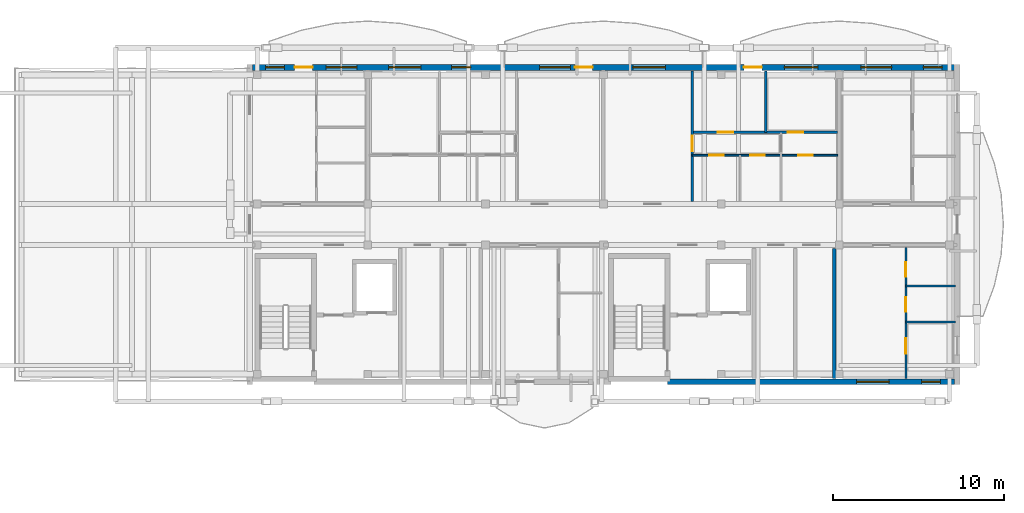
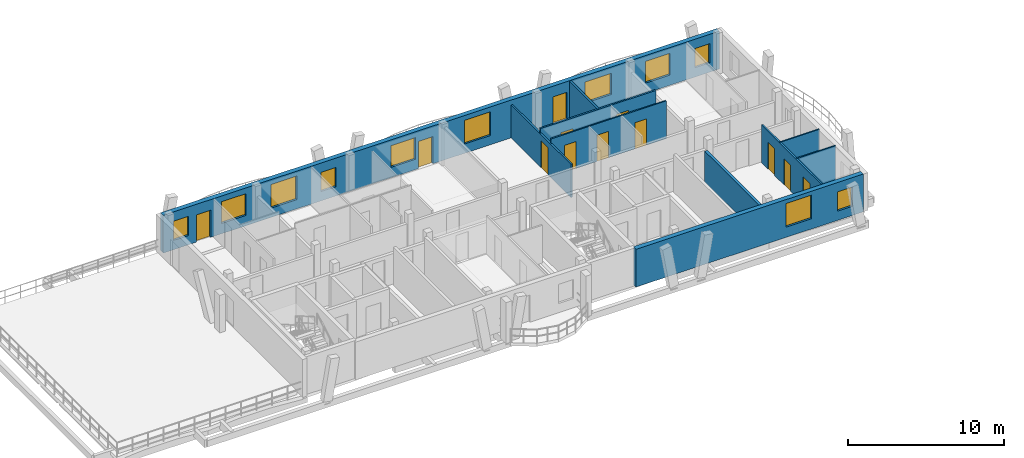
# One storey, part 32 of 44: 12 doors, 11 windows, 10 walls, 23 openings.
"""IFC4 building model written with IfcOpenShell, lengths in metres."""

from ifc_helpers import new_model, si_unit, direction, frame, frame_2d, origin, origin_with_axes, place, context, subcontext, project, spatial, rectangle, extrude, material, layer, layer_set, type_object, element, fill, save


model = new_model("IFC4")

# Units and contexts
model_context = context("Model", 3, precision=1e-05, world=origin(), true_north=direction((0.0, 1.0)))
body_context = subcontext(model_context, "Body", "Model", "MODEL_VIEW")
ifc_project = project(units=[si_unit("LENGTHUNIT", "METRE"), si_unit("AREAUNIT", "SQUARE_METRE"), si_unit("VOLUMEUNIT", "CUBIC_METRE"), si_unit("PLANEANGLEUNIT", "RADIAN"), si_unit("MASSUNIT", "GRAM", prefix="KILO")], contexts=[model_context])

# Site, building, storey
site_placement = place(None, origin())
site = spatial("IfcSite", under=ifc_project, at=site_placement, CompositionType="ELEMENT")
building_placement = place(site_placement, origin())
building = spatial("IfcBuilding", under=site, at=building_placement, Name="Zavelmont Quarter", CompositionType="ELEMENT")
storey_placement = place(building_placement, frame((0.0, 0.0, 20.800048828125)))
storey = spatial("IfcBuildingStorey", under=building, at=storey_placement, Name="L06", CompositionType="ELEMENT", Elevation=20.800048828125)

# Wall, openings, windows
ifc_material_1 = material(Name="Natural Belgian limestone", Category="masonry")
ifc_layer_1 = layer(ifc_material_1, 0.340087890625)
ifc_layer_set_1 = layer_set([ifc_layer_1], Name="Natural Belgian limestone")
wall_type_1 = type_object("IfcWallType", Name="EW03", PredefinedType="STANDARD", material=ifc_layer_set_1)
wall_1_placement = place(storey_placement, frame((151.050048828125, 97.60009765625, 0.0), z_axis=(0.0, 0.0, 1.0), x_axis=(1.0, 0.0, 0.0)))
wall_1 = element("IfcWall", 1, at=wall_1_placement, inside=storey, type_object=wall_type_1, Name="L06 exterior limestone wall EW03", PredefinedType="STANDARD", context=body_context, shape_type="SweptSolid", body=[
    extrude(rectangle(XDim=16.7900390625, YDim=0.340087890625, at=frame_2d((8.39501953125, 0.0))), origin(), (0.0, 0.0, 1.0), 2.949951171875),
])
opening_1_placement = place(wall_1_placement, frame((11.070068359375, 0.0, 0.800048828125)))
opening_1 = element("IfcOpeningElement", 2, at=opening_1_placement, cuts=wall_1, Name="Opening WN20", PredefinedType="OPENING", context=body_context, shape_type="SweptSolid", body=[
    extrude(rectangle(XDim=1.89990234375, YDim=1.85009765625, at=frame_2d((0.949951171875, 0.925048828125))), frame((0.0, 0.18212890625, 0.0), z_axis=(0.0, -1.0, 0.0), x_axis=(1.0, 0.0, 0.0)), (0.0, 0.0, 1.0), 0.364013671875),
])
opening_2_placement = place(wall_1_placement, frame((14.8701171875, 0.0, 0.719970703125)))
opening_2 = element("IfcOpeningElement", 3, at=opening_2_placement, cuts=wall_1, Name="Opening WN09", PredefinedType="OPENING", context=body_context, shape_type="SweptSolid", body=[
    extrude(rectangle(XDim=1.10009765625, YDim=1.5, at=frame_2d((0.550048828125, 0.75))), frame((0.0, 0.18212890625, 0.0), z_axis=(0.0, -1.0, 0.0), x_axis=(1.0, 0.0, 0.0)), (0.0, 0.0, 1.0), 0.364013671875),
])
ifc_material_2 = material(Name="Double low-E insulated glazing in thermally broken aluminium frame", Category="aluminium")
window_type_1 = type_object("IfcWindowType", Name="WN09", PartitioningType="SINGLE_PANEL", PredefinedType="WINDOW", material=ifc_material_2)
window_1_placement = place(opening_2_placement, origin_with_axes())
window_1 = element("IfcWindow", 4, at=window_1_placement, inside=storey, type_object=window_type_1, Name="L06 window WN09", OverallHeight=1.5, OverallWidth=1.10009765625, PartitioningType="SINGLE_PANEL", PredefinedType="WINDOW", context=body_context, shape_type="SweptSolid", body=[
    extrude(rectangle(XDim=1.10009765625, YDim=1.5, at=frame_2d((0.550048828125, 0.75))), frame((0.0, 0.030029296875, 0.0), z_axis=(0.0, -1.0, 0.0), x_axis=(1.0, 0.0, 0.0)), (0.0, 0.0, 1.0), 0.06005859375),
])
fill(opening_2, window_1)
window_type_2 = type_object("IfcWindowType", Name="WN20", PartitioningType="SINGLE_PANEL", PredefinedType="WINDOW", material=ifc_material_2)
window_2_placement = place(opening_1_placement, origin_with_axes())
window_2 = element("IfcWindow", 5, at=window_2_placement, inside=storey, type_object=window_type_2, Name="L06 window WN20", OverallHeight=1.85009765625, OverallWidth=1.89990234375, PartitioningType="SINGLE_PANEL", PredefinedType="WINDOW", context=body_context, shape_type="SweptSolid", body=[
    extrude(rectangle(XDim=1.89990234375, YDim=1.85009765625, at=frame_2d((0.949951171875, 0.925048828125))), frame((0.0, 0.030029296875, 0.0), z_axis=(0.0, -1.0, 0.0), x_axis=(1.0, 0.0, 0.0)), (0.0, 0.0, 1.0), 0.06005859375),
])
fill(opening_1, window_2)

# Wall, openings, doors, windows
wall_2_placement = place(storey_placement, frame((126.760009765625, 116.0, 0.0), z_axis=(0.0, 0.0, 1.0), x_axis=(1.0, 0.0, 0.0)))
wall_2 = element("IfcWall", 6, at=wall_2_placement, inside=storey, type_object=wall_type_1, Name="L06 exterior limestone wall EW03", PredefinedType="STANDARD", context=body_context, shape_type="SweptSolid", body=[
    extrude(rectangle(XDim=41.080078125, YDim=0.340087890625, at=frame_2d((20.5400390625, 0.0))), origin(), (0.0, 0.0, 1.0), 2.949951171875),
])
opening_3_placement = place(wall_2_placement, frame((2.4638671875, 0.0, 0.0)))
opening_3 = element("IfcOpeningElement", 7, at=opening_3_placement, cuts=wall_2, Name="Opening DR04A", PredefinedType="OPENING", context=body_context, shape_type="SweptSolid", body=[
    extrude(rectangle(XDim=1.050048828125, YDim=2.1201171875, at=frame_2d((0.52490234375, 1.06005859375))), frame((0.0, 0.18212890625, 0.0), z_axis=(0.0, -1.0, 0.0), x_axis=(1.0, 0.0, 0.0)), (0.0, 0.0, 1.0), 0.364013671875),
])
opening_4_placement = place(wall_2_placement, frame((18.860107421875, 0.0, 0.0)))
opening_4 = element("IfcOpeningElement", 8, at=opening_4_placement, cuts=wall_2, Name="Opening DR04A", PredefinedType="OPENING", context=body_context, shape_type="SweptSolid", body=[
    extrude(rectangle(XDim=1.050048828125, YDim=2.1201171875, at=frame_2d((0.52490234375, 1.06005859375))), frame((0.0, 0.18212890625, 0.0), z_axis=(0.0, -1.0, 0.0), x_axis=(1.0, 0.0, 0.0)), (0.0, 0.0, 1.0), 0.364013671875),
])
opening_5_placement = place(wall_2_placement, frame((28.763916015625, 0.0, 0.0)))
opening_5 = element("IfcOpeningElement", 9, at=opening_5_placement, cuts=wall_2, Name="Opening DR04A", PredefinedType="OPENING", context=body_context, shape_type="SweptSolid", body=[
    extrude(rectangle(XDim=1.050048828125, YDim=2.1201171875, at=frame_2d((0.52490234375, 1.06005859375))), frame((0.0, 0.18212890625, 0.0), z_axis=(0.0, -1.0, 0.0), x_axis=(1.0, 0.0, 0.0)), (0.0, 0.0, 1.0), 0.364013671875),
])
opening_6_placement = place(wall_2_placement, frame((0.760009765625, 0.0, 0.719970703125)))
opening_6 = element("IfcOpeningElement", 10, at=opening_6_placement, cuts=wall_2, Name="Opening WN09", PredefinedType="OPENING", context=body_context, shape_type="SweptSolid", body=[
    extrude(rectangle(XDim=1.10009765625, YDim=1.5, at=frame_2d((0.550048828125, 0.75))), frame((0.0, 0.18212890625, 0.0), z_axis=(0.0, -1.0, 0.0), x_axis=(1.0, 0.0, 0.0)), (0.0, 0.0, 1.0), 0.364013671875),
])
opening_7_placement = place(wall_2_placement, frame((4.31005859375, 0.0, 0.800048828125)))
opening_7 = element("IfcOpeningElement", 11, at=opening_7_placement, cuts=wall_2, Name="Opening WN02", PredefinedType="OPENING", context=body_context, shape_type="SweptSolid", body=[
    extrude(rectangle(XDim=1.800048828125, YDim=1.699951171875, at=frame_2d((0.89990234375, 0.85009765625))), frame((0.0, 0.18212890625, 0.0), z_axis=(0.0, -1.0, 0.0), x_axis=(1.0, 0.0, 0.0)), (0.0, 0.0, 1.0), 0.364013671875),
])
opening_8_placement = place(wall_2_placement, frame((7.9599609375, 0.0, 0.719970703125)))
opening_8 = element("IfcOpeningElement", 12, at=opening_8_placement, cuts=wall_2, Name="Opening WN20", PredefinedType="OPENING", context=body_context, shape_type="SweptSolid", body=[
    extrude(rectangle(XDim=1.89990234375, YDim=1.85009765625, at=frame_2d((0.949951171875, 0.925048828125))), frame((0.0, 0.18212890625, 0.0), z_axis=(0.0, -1.0, 0.0), x_axis=(1.0, 0.0, 0.0)), (0.0, 0.0, 1.0), 0.364013671875),
])
opening_9_placement = place(wall_2_placement, frame((11.659912109375, 0.0, 0.719970703125)))
opening_9 = element("IfcOpeningElement", 13, at=opening_9_placement, cuts=wall_2, Name="Opening WN09", PredefinedType="OPENING", context=body_context, shape_type="SweptSolid", body=[
    extrude(rectangle(XDim=1.10009765625, YDim=1.5, at=frame_2d((0.550048828125, 0.75))), frame((0.0, 0.18212890625, 0.0), z_axis=(0.0, -1.0, 0.0), x_axis=(1.0, 0.0, 0.0)), (0.0, 0.0, 1.0), 0.364013671875),
])
opening_10_placement = place(wall_2_placement, frame((16.81005859375, 0.0, 0.800048828125)))
opening_10 = element("IfcOpeningElement", 14, at=opening_10_placement, cuts=wall_2, Name="Opening WN02", PredefinedType="OPENING", context=body_context, shape_type="SweptSolid", body=[
    extrude(rectangle(XDim=1.800048828125, YDim=1.699951171875, at=frame_2d((0.89990234375, 0.85009765625))), frame((0.0, 0.18212890625, 0.0), z_axis=(0.0, -1.0, 0.0), x_axis=(1.0, 0.0, 0.0)), (0.0, 0.0, 1.0), 0.364013671875),
])
opening_11_placement = place(wall_2_placement, frame((22.260009765625, 0.0, 0.719970703125)))
opening_11 = element("IfcOpeningElement", 15, at=opening_11_placement, cuts=wall_2, Name="Opening WN20", PredefinedType="OPENING", context=body_context, shape_type="SweptSolid", body=[
    extrude(rectangle(XDim=1.89990234375, YDim=1.85009765625, at=frame_2d((0.949951171875, 0.925048828125))), frame((0.0, 0.18212890625, 0.0), z_axis=(0.0, -1.0, 0.0), x_axis=(1.0, 0.0, 0.0)), (0.0, 0.0, 1.0), 0.364013671875),
])
opening_12_placement = place(wall_2_placement, frame((31.135009765625, 0.0, 0.800048828125)))
opening_12 = element("IfcOpeningElement", 16, at=opening_12_placement, cuts=wall_2, Name="Opening WN24", PredefinedType="OPENING", context=body_context, shape_type="SweptSolid", body=[
    extrude(rectangle(XDim=1.949951171875, YDim=1.64990234375, at=frame_2d((0.97509765625, 0.824951171875))), frame((0.0, 0.18212890625, 0.0), z_axis=(0.0, -1.0, 0.0), x_axis=(1.0, 0.0, 0.0)), (0.0, 0.0, 1.0), 0.364013671875),
])
opening_13_placement = place(wall_2_placement, frame((35.610107421875, 0.0, 0.800048828125)))
opening_13 = element("IfcOpeningElement", 17, at=opening_13_placement, cuts=wall_2, Name="Opening WN02", PredefinedType="OPENING", context=body_context, shape_type="SweptSolid", body=[
    extrude(rectangle(XDim=1.800048828125, YDim=1.699951171875, at=frame_2d((0.89990234375, 0.85009765625))), frame((0.0, 0.18212890625, 0.0), z_axis=(0.0, -1.0, 0.0), x_axis=(1.0, 0.0, 0.0)), (0.0, 0.0, 1.0), 0.364013671875),
])
opening_14_placement = place(wall_2_placement, frame((39.260009765625, 0.0, 0.719970703125)))
opening_14 = element("IfcOpeningElement", 18, at=opening_14_placement, cuts=wall_2, Name="Opening WN09", PredefinedType="OPENING", context=body_context, shape_type="SweptSolid", body=[
    extrude(rectangle(XDim=1.10009765625, YDim=1.5, at=frame_2d((0.550048828125, 0.75))), frame((0.0, 0.18212890625, 0.0), z_axis=(0.0, -1.0, 0.0), x_axis=(1.0, 0.0, 0.0)), (0.0, 0.0, 1.0), 0.364013671875),
])
ifc_material_3 = material(Name="Thermally broken aluminium and double safety glass", Category="aluminium")
door_type_1 = type_object("IfcDoorType", Name="DR04A", OperationType="NOTDEFINED", PredefinedType="DOOR", material=ifc_material_3)
door_1_placement = place(opening_3_placement, frame((1.050048828125, 0.0, 0.0), z_axis=(0.0, 0.0, 1.0), x_axis=(-1.0, 0.0, 0.0)))
door_1 = element("IfcDoor", 19, at=door_1_placement, inside=storey, type_object=door_type_1, Name="Block C L06 glazed balcony door", OperationType="SINGLE_SWING_LEFT", OverallHeight=2.1201171875, OverallWidth=1.050048828125, PredefinedType="DOOR", context=body_context, shape_type="SweptSolid", body=[
    extrude(rectangle(XDim=1.050048828125, YDim=2.1201171875, at=frame_2d((0.52490234375, 1.06005859375))), frame((0.0, 0.02490234375, 0.0), z_axis=(0.0, -1.0, 0.0), x_axis=(1.0, 0.0, 0.0)), (0.0, 0.0, 1.0), 0.050048828125),
])
fill(opening_3, door_1)
door_2_placement = place(opening_4_placement, frame((1.050048828125, 0.0, 0.0), z_axis=(0.0, 0.0, 1.0), x_axis=(-1.0, 0.0, 0.0)))
door_2 = element("IfcDoor", 20, at=door_2_placement, inside=storey, type_object=door_type_1, Name="Block C L06 glazed balcony door", OperationType="SINGLE_SWING_LEFT", OverallHeight=2.1201171875, OverallWidth=1.050048828125, PredefinedType="DOOR", context=body_context, shape_type="SweptSolid", body=[
    extrude(rectangle(XDim=1.050048828125, YDim=2.1201171875, at=frame_2d((0.52490234375, 1.06005859375))), frame((0.0, 0.02490234375, 0.0), z_axis=(0.0, -1.0, 0.0), x_axis=(1.0, 0.0, 0.0)), (0.0, 0.0, 1.0), 0.050048828125),
])
fill(opening_4, door_2)
door_3_placement = place(opening_5_placement, frame((1.050048828125, 0.0, 0.0), z_axis=(0.0, 0.0, 1.0), x_axis=(-1.0, 0.0, 0.0)))
door_3 = element("IfcDoor", 21, at=door_3_placement, inside=storey, type_object=door_type_1, Name="Block C L06 glazed balcony door", OperationType="SINGLE_SWING_LEFT", OverallHeight=2.1201171875, OverallWidth=1.050048828125, PredefinedType="DOOR", context=body_context, shape_type="SweptSolid", body=[
    extrude(rectangle(XDim=1.050048828125, YDim=2.1201171875, at=frame_2d((0.52490234375, 1.06005859375))), frame((0.0, 0.02490234375, 0.0), z_axis=(0.0, -1.0, 0.0), x_axis=(1.0, 0.0, 0.0)), (0.0, 0.0, 1.0), 0.050048828125),
])
fill(opening_5, door_3)
window_type_3 = type_object("IfcWindowType", Name="WN02", PartitioningType="SINGLE_PANEL", PredefinedType="WINDOW", material=ifc_material_2)
window_3_placement = place(opening_7_placement, origin_with_axes())
window_3 = element("IfcWindow", 22, at=window_3_placement, inside=storey, type_object=window_type_3, Name="L06 window WN02", OverallHeight=1.699951171875, OverallWidth=1.800048828125, PartitioningType="SINGLE_PANEL", PredefinedType="WINDOW", context=body_context, shape_type="SweptSolid", body=[
    extrude(rectangle(XDim=1.800048828125, YDim=1.699951171875, at=frame_2d((0.89990234375, 0.85009765625))), frame((0.0, 0.030029296875, 0.0), z_axis=(0.0, -1.0, 0.0), x_axis=(1.0, 0.0, 0.0)), (0.0, 0.0, 1.0), 0.06005859375),
])
fill(opening_7, window_3)
window_4_placement = place(opening_10_placement, origin_with_axes())
window_4 = element("IfcWindow", 23, at=window_4_placement, inside=storey, type_object=window_type_3, Name="L06 window WN02", OverallHeight=1.699951171875, OverallWidth=1.800048828125, PartitioningType="SINGLE_PANEL", PredefinedType="WINDOW", context=body_context, shape_type="SweptSolid", body=[
    extrude(rectangle(XDim=1.800048828125, YDim=1.699951171875, at=frame_2d((0.89990234375, 0.85009765625))), frame((0.0, 0.030029296875, 0.0), z_axis=(0.0, -1.0, 0.0), x_axis=(1.0, 0.0, 0.0)), (0.0, 0.0, 1.0), 0.06005859375),
])
fill(opening_10, window_4)
window_5_placement = place(opening_13_placement, origin_with_axes())
window_5 = element("IfcWindow", 24, at=window_5_placement, inside=storey, type_object=window_type_3, Name="L06 window WN02", OverallHeight=1.699951171875, OverallWidth=1.800048828125, PartitioningType="SINGLE_PANEL", PredefinedType="WINDOW", context=body_context, shape_type="SweptSolid", body=[
    extrude(rectangle(XDim=1.800048828125, YDim=1.699951171875, at=frame_2d((0.89990234375, 0.85009765625))), frame((0.0, 0.030029296875, 0.0), z_axis=(0.0, -1.0, 0.0), x_axis=(1.0, 0.0, 0.0)), (0.0, 0.0, 1.0), 0.06005859375),
])
fill(opening_13, window_5)
window_6_placement = place(opening_6_placement, origin_with_axes())
window_6 = element("IfcWindow", 25, at=window_6_placement, inside=storey, type_object=window_type_1, Name="L06 window WN09", OverallHeight=1.5, OverallWidth=1.10009765625, PartitioningType="SINGLE_PANEL", PredefinedType="WINDOW", context=body_context, shape_type="SweptSolid", body=[
    extrude(rectangle(XDim=1.10009765625, YDim=1.5, at=frame_2d((0.550048828125, 0.75))), frame((0.0, 0.030029296875, 0.0), z_axis=(0.0, -1.0, 0.0), x_axis=(1.0, 0.0, 0.0)), (0.0, 0.0, 1.0), 0.06005859375),
])
fill(opening_6, window_6)
window_7_placement = place(opening_9_placement, origin_with_axes())
window_7 = element("IfcWindow", 26, at=window_7_placement, inside=storey, type_object=window_type_1, Name="L06 window WN09", OverallHeight=1.5, OverallWidth=1.10009765625, PartitioningType="SINGLE_PANEL", PredefinedType="WINDOW", context=body_context, shape_type="SweptSolid", body=[
    extrude(rectangle(XDim=1.10009765625, YDim=1.5, at=frame_2d((0.550048828125, 0.75))), frame((0.0, 0.030029296875, 0.0), z_axis=(0.0, -1.0, 0.0), x_axis=(1.0, 0.0, 0.0)), (0.0, 0.0, 1.0), 0.06005859375),
])
fill(opening_9, window_7)
window_8_placement = place(opening_14_placement, origin_with_axes())
window_8 = element("IfcWindow", 27, at=window_8_placement, inside=storey, type_object=window_type_1, Name="L06 window WN09", OverallHeight=1.5, OverallWidth=1.10009765625, PartitioningType="SINGLE_PANEL", PredefinedType="WINDOW", context=body_context, shape_type="SweptSolid", body=[
    extrude(rectangle(XDim=1.10009765625, YDim=1.5, at=frame_2d((0.550048828125, 0.75))), frame((0.0, 0.030029296875, 0.0), z_axis=(0.0, -1.0, 0.0), x_axis=(1.0, 0.0, 0.0)), (0.0, 0.0, 1.0), 0.06005859375),
])
fill(opening_14, window_8)
window_9_placement = place(opening_8_placement, origin_with_axes())
window_9 = element("IfcWindow", 28, at=window_9_placement, inside=storey, type_object=window_type_2, Name="L06 window WN20", OverallHeight=1.85009765625, OverallWidth=1.89990234375, PartitioningType="SINGLE_PANEL", PredefinedType="WINDOW", context=body_context, shape_type="SweptSolid", body=[
    extrude(rectangle(XDim=1.89990234375, YDim=1.85009765625, at=frame_2d((0.949951171875, 0.925048828125))), frame((0.0, 0.030029296875, 0.0), z_axis=(0.0, -1.0, 0.0), x_axis=(1.0, 0.0, 0.0)), (0.0, 0.0, 1.0), 0.06005859375),
])
fill(opening_8, window_9)
window_10_placement = place(opening_11_placement, origin_with_axes())
window_10 = element("IfcWindow", 29, at=window_10_placement, inside=storey, type_object=window_type_2, Name="L06 window WN20", OverallHeight=1.85009765625, OverallWidth=1.89990234375, PartitioningType="SINGLE_PANEL", PredefinedType="WINDOW", context=body_context, shape_type="SweptSolid", body=[
    extrude(rectangle(XDim=1.89990234375, YDim=1.85009765625, at=frame_2d((0.949951171875, 0.925048828125))), frame((0.0, 0.030029296875, 0.0), z_axis=(0.0, -1.0, 0.0), x_axis=(1.0, 0.0, 0.0)), (0.0, 0.0, 1.0), 0.06005859375),
])
fill(opening_11, window_10)
window_type_4 = type_object("IfcWindowType", Name="WN24", PartitioningType="SINGLE_PANEL", PredefinedType="WINDOW", material=ifc_material_2)
window_11_placement = place(opening_12_placement, origin_with_axes())
window_11 = element("IfcWindow", 30, at=window_11_placement, inside=storey, type_object=window_type_4, Name="L06 window WN24", OverallHeight=1.64990234375, OverallWidth=1.949951171875, PartitioningType="SINGLE_PANEL", PredefinedType="WINDOW", context=body_context, shape_type="SweptSolid", body=[
    extrude(rectangle(XDim=1.949951171875, YDim=1.64990234375, at=frame_2d((0.97509765625, 0.824951171875))), frame((0.0, 0.030029296875, 0.0), z_axis=(0.0, -1.0, 0.0), x_axis=(1.0, 0.0, 0.0)), (0.0, 0.0, 1.0), 0.06005859375),
])
fill(opening_12, window_11)

# Wall
ifc_material_4 = material(Name="Calcium-silicate blockwork and acoustic plaster", Category="masonry")
ifc_layer_2 = layer(ifc_material_4, 0.199951171875)
ifc_layer_set_2 = layer_set([ifc_layer_2], Name="Calcium-silicate blockwork and acoustic plaster")
wall_type_2 = type_object("IfcWallType", Name="IW01", PredefinedType="PARTITIONING", material=ifc_layer_set_2)
wall_3_placement = place(storey_placement, frame((160.820068359375, 97.800048828125, 0.0), z_axis=(0.0, 0.0, 1.0), x_axis=(0.0, 1.0, 0.0)))
element("IfcWall", 31, at=wall_3_placement, inside=storey, type_object=wall_type_2, Name="L06 Core service end wall IW01", PredefinedType="PARTITIONING", context=body_context, shape_type="SweptSolid", body=[
    extrude(rectangle(XDim=7.599853515625, YDim=0.199951171875, at=frame_2d((3.7998046875, 0.0))), origin(), (0.0, 0.0, 1.0), 2.389892578125),
])

# Wall, opening, door
ifc_material_5 = material(Name="Double gypsum board on acoustic steel stud", Category="steel")
ifc_layer_3 = layer(ifc_material_5, 0.125)
ifc_layer_set_3 = layer_set([ifc_layer_3], Name="Double gypsum board on acoustic steel stud")
wall_type_3 = type_object("IfcWallType", Name="IW03", PredefinedType="PARTITIONING", material=ifc_layer_set_3)
wall_4_placement = place(storey_placement, frame((152.5, 108.14990234375, 0.0), z_axis=(0.0, 0.0, 1.0), x_axis=(0.0, 1.0, 0.0)))
wall_4 = element("IfcWall", 32, at=wall_4_placement, inside=storey, type_object=wall_type_3, Name="L06 Partition IW03", PredefinedType="PARTITIONING", context=body_context, shape_type="SweptSolid", body=[
    extrude(rectangle(XDim=7.650146484375, YDim=0.125, at=frame_2d((3.8251953125, 0.0))), origin(), (0.0, 0.0, 1.0), 2.58984375),
])
opening_15_placement = place(wall_4_placement, frame((2.949951171875, 0.0, 0.0)))
opening_15 = element("IfcOpeningElement", 33, at=opening_15_placement, cuts=wall_4, Name="Opening DR05", PredefinedType="OPENING", context=body_context, shape_type="SweptSolid", body=[
    extrude(rectangle(XDim=0.89990234375, YDim=2.10009765625, at=frame_2d((0.449951171875, 1.050048828125))), frame((0.0, 0.074462890625, 0.0), z_axis=(0.0, -1.0, 0.0), x_axis=(1.0, 0.0, 0.0)), (0.0, 0.0, 1.0), 0.14892578125),
])
ifc_material_6 = material(Name="Engineered oak flush interior door")
door_type_2 = type_object("IfcDoorType", Name="DR05", OperationType="NOTDEFINED", PredefinedType="DOOR", material=ifc_material_6)
door_4_placement = place(opening_15_placement, frame((0.89990234375, 0.0, 0.0), z_axis=(0.0, 0.0, 1.0), x_axis=(-1.0, 0.0, 0.0)))
door_4 = element("IfcDoor", 34, at=door_4_placement, inside=storey, type_object=door_type_2, Name="L06 door DR05", OperationType="SINGLE_SWING_RIGHT", OverallHeight=2.10009765625, OverallWidth=0.89990234375, PredefinedType="DOOR", context=body_context, shape_type="SweptSolid", body=[
    extrude(rectangle(XDim=0.89990234375, YDim=2.10009765625, at=frame_2d((0.449951171875, 1.050048828125))), frame((0.0, 0.02490234375, 0.0), z_axis=(0.0, -1.0, 0.0), x_axis=(1.0, 0.0, 0.0)), (0.0, 0.0, 1.0), 0.050048828125),
])
fill(opening_15, door_4)

# Wall
wall_5_placement = place(storey_placement, frame((156.800048828125, 112.199951171875, 0.0), z_axis=(0.0, 0.0, 1.0), x_axis=(0.0, 1.0, 0.0)))
element("IfcWall", 35, at=wall_5_placement, inside=storey, type_object=wall_type_3, Name="L06 Partition IW03", PredefinedType="PARTITIONING", context=body_context, shape_type="SweptSolid", body=[
    extrude(rectangle(XDim=3.60009765625, YDim=0.125, at=frame_2d((1.800048828125, 0.0))), origin(), (0.0, 0.0, 1.0), 2.949951171875),
])

# Wall, openings, doors
wall_6_placement = place(storey_placement, frame((152.5, 112.199951171875, 0.0), z_axis=(0.0, 0.0, 1.0), x_axis=(1.0, 0.0, 0.0)))
wall_6 = element("IfcWall", 36, at=wall_6_placement, inside=storey, type_object=wall_type_3, Name="L06 Partition IW03", PredefinedType="PARTITIONING", context=body_context, shape_type="SweptSolid", body=[
    extrude(rectangle(XDim=8.5, YDim=0.125, at=frame_2d((4.25, 0.0))), origin(), (0.0, 0.0, 1.0), 2.949951171875),
])
opening_16_placement = place(wall_6_placement, frame((1.5, 0.0, 0.0)))
opening_16 = element("IfcOpeningElement", 37, at=opening_16_placement, cuts=wall_6, Name="Opening DR05", PredefinedType="OPENING", context=body_context, shape_type="SweptSolid", body=[
    extrude(rectangle(XDim=0.89990234375, YDim=2.10009765625, at=frame_2d((0.449951171875, 1.050048828125))), frame((0.0, 0.074462890625, 0.0), z_axis=(0.0, -1.0, 0.0), x_axis=(1.0, 0.0, 0.0)), (0.0, 0.0, 1.0), 0.14892578125),
])
opening_17_placement = place(wall_6_placement, frame((5.60009765625, 0.0, 0.0)))
opening_17 = element("IfcOpeningElement", 38, at=opening_17_placement, cuts=wall_6, Name="Opening DR05", PredefinedType="OPENING", context=body_context, shape_type="SweptSolid", body=[
    extrude(rectangle(XDim=0.89990234375, YDim=2.10009765625, at=frame_2d((0.449951171875, 1.050048828125))), frame((0.0, 0.074462890625, 0.0), z_axis=(0.0, -1.0, 0.0), x_axis=(1.0, 0.0, 0.0)), (0.0, 0.0, 1.0), 0.14892578125),
])
door_5_placement = place(opening_16_placement, origin_with_axes())
door_5 = element("IfcDoor", 39, at=door_5_placement, inside=storey, type_object=door_type_2, Name="L06 door DR05", OperationType="SINGLE_SWING_LEFT", OverallHeight=2.10009765625, OverallWidth=0.89990234375, PredefinedType="DOOR", context=body_context, shape_type="SweptSolid", body=[
    extrude(rectangle(XDim=0.89990234375, YDim=2.10009765625, at=frame_2d((0.449951171875, 1.050048828125))), frame((0.0, 0.02490234375, 0.0), z_axis=(0.0, -1.0, 0.0), x_axis=(1.0, 0.0, 0.0)), (0.0, 0.0, 1.0), 0.050048828125),
])
fill(opening_16, door_5)
door_6_placement = place(opening_17_placement, frame((0.89990234375, 0.0, 0.0), z_axis=(0.0, 0.0, 1.0), x_axis=(-1.0, 0.0, 0.0)))
door_6 = element("IfcDoor", 40, at=door_6_placement, inside=storey, type_object=door_type_2, Name="L06 door DR05", OperationType="SINGLE_SWING_RIGHT", OverallHeight=2.10009765625, OverallWidth=0.89990234375, PredefinedType="DOOR", context=body_context, shape_type="SweptSolid", body=[
    extrude(rectangle(XDim=0.89990234375, YDim=2.10009765625, at=frame_2d((0.449951171875, 1.050048828125))), frame((0.0, 0.02490234375, 0.0), z_axis=(0.0, -1.0, 0.0), x_axis=(1.0, 0.0, 0.0)), (0.0, 0.0, 1.0), 0.050048828125),
])
fill(opening_17, door_6)

wall_7_placement = place(storey_placement, frame((165.0, 105.449951171875, 0.0), z_axis=(0.0, 0.0, 1.0), x_axis=(0.0, -1.0, 0.0)))
wall_7 = element("IfcWall", 41, at=wall_7_placement, inside=storey, type_object=wall_type_3, Name="L06 Partition IW03", PredefinedType="PARTITIONING", context=body_context, shape_type="SweptSolid", body=[
    extrude(rectangle(XDim=7.64990234375, YDim=0.125, at=frame_2d((3.824951171875, 0.0))), origin(), (0.0, 0.0, 1.0), 2.949951171875),
])
opening_18_placement = place(wall_7_placement, frame((0.85009765625, 0.0, 0.0)))
opening_18 = element("IfcOpeningElement", 42, at=opening_18_placement, cuts=wall_7, Name="Opening DR16", PredefinedType="OPENING", context=body_context, shape_type="SweptSolid", body=[
    extrude(rectangle(XDim=0.85009765625, YDim=2.10009765625, at=frame_2d((0.425048828125, 1.050048828125))), frame((0.0, 0.074462890625, 0.0), z_axis=(0.0, -1.0, 0.0), x_axis=(1.0, 0.0, 0.0)), (0.0, 0.0, 1.0), 0.14892578125),
])
opening_19_placement = place(wall_7_placement, frame((2.89990234375, 0.0, 0.0)))
opening_19 = element("IfcOpeningElement", 43, at=opening_19_placement, cuts=wall_7, Name="Opening DR06", PredefinedType="OPENING", context=body_context, shape_type="SweptSolid", body=[
    extrude(rectangle(XDim=0.85009765625, YDim=2.050048828125, at=frame_2d((0.425048828125, 1.02490234375))), frame((0.0, 0.074462890625, 0.0), z_axis=(0.0, -1.0, 0.0), x_axis=(1.0, 0.0, 0.0)), (0.0, 0.0, 1.0), 0.14892578125),
])
opening_20_placement = place(wall_7_placement, frame((5.300048828125, 0.0, 0.0)))
opening_20 = element("IfcOpeningElement", 44, at=opening_20_placement, cuts=wall_7, Name="Opening DR05", PredefinedType="OPENING", context=body_context, shape_type="SweptSolid", body=[
    extrude(rectangle(XDim=0.89990234375, YDim=2.10009765625, at=frame_2d((0.449951171875, 1.050048828125))), frame((0.0, 0.074462890625, 0.0), z_axis=(0.0, -1.0, 0.0), x_axis=(1.0, 0.0, 0.0)), (0.0, 0.0, 1.0), 0.14892578125),
])
door_7_placement = place(opening_20_placement, frame((0.89990234375, 0.0, 0.0), z_axis=(0.0, 0.0, 1.0), x_axis=(-1.0, 0.0, 0.0)))
door_7 = element("IfcDoor", 45, at=door_7_placement, inside=storey, type_object=door_type_2, Name="L06 door DR05", OperationType="SINGLE_SWING_RIGHT", OverallHeight=2.10009765625, OverallWidth=0.89990234375, PredefinedType="DOOR", context=body_context, shape_type="SweptSolid", body=[
    extrude(rectangle(XDim=0.89990234375, YDim=2.10009765625, at=frame_2d((0.449951171875, 1.050048828125))), frame((0.0, 0.02490234375, 0.0), z_axis=(0.0, -1.0, 0.0), x_axis=(1.0, 0.0, 0.0)), (0.0, 0.0, 1.0), 0.050048828125),
])
fill(opening_20, door_7)
ifc_material_7 = material(Name="Moisture-resistant painted wet-room door")
door_type_3 = type_object("IfcDoorType", Name="DR06", OperationType="NOTDEFINED", PredefinedType="DOOR", material=ifc_material_7)
door_8_placement = place(opening_19_placement, origin_with_axes())
door_8 = element("IfcDoor", 46, at=door_8_placement, inside=storey, type_object=door_type_3, Name="L06 door DR06", OperationType="SINGLE_SWING_LEFT", OverallHeight=2.050048828125, OverallWidth=0.85009765625, PredefinedType="DOOR", context=body_context, shape_type="SweptSolid", body=[
    extrude(rectangle(XDim=0.85009765625, YDim=2.050048828125, at=frame_2d((0.425048828125, 1.02490234375))), frame((0.0, 0.02490234375, 0.0), z_axis=(0.0, -1.0, 0.0), x_axis=(1.0, 0.0, 0.0)), (0.0, 0.0, 1.0), 0.050048828125),
])
fill(opening_19, door_8)
door_type_4 = type_object("IfcDoorType", Name="DR16", OperationType="NOTDEFINED", PredefinedType="DOOR", material=ifc_material_6)
door_9_placement = place(opening_18_placement, frame((0.85009765625, 0.0, 0.0), z_axis=(0.0, 0.0, 1.0), x_axis=(-1.0, 0.0, 0.0)))
door_9 = element("IfcDoor", 47, at=door_9_placement, inside=storey, type_object=door_type_4, Name="L06 door DR16", OperationType="SINGLE_SWING_RIGHT", OverallHeight=2.10009765625, OverallWidth=0.85009765625, PredefinedType="DOOR", context=body_context, shape_type="SweptSolid", body=[
    extrude(rectangle(XDim=0.85009765625, YDim=2.10009765625, at=frame_2d((0.425048828125, 1.050048828125))), frame((0.0, 0.02490234375, 0.0), z_axis=(0.0, -1.0, 0.0), x_axis=(1.0, 0.0, 0.0)), (0.0, 0.0, 1.0), 0.050048828125),
])
fill(opening_18, door_9)

ifc_material_8 = material(Name="Moisture-resistant gypsum board on steel stud", Category="steel")
ifc_layer_4 = layer(ifc_material_8, 0.10009765625)
ifc_layer_set_4 = layer_set([ifc_layer_4], Name="Moisture-resistant gypsum board on steel stud")
wall_type_4 = type_object("IfcWallType", Name="IW04", PredefinedType="PARTITIONING", material=ifc_layer_set_4)
wall_8_placement = place(storey_placement, frame((152.5, 110.85009765625, 0.0), z_axis=(0.0, 0.0, 1.0), x_axis=(1.0, 0.0, 0.0)))
wall_8 = element("IfcWall", 48, at=wall_8_placement, inside=storey, type_object=wall_type_4, Name="L06 Partition IW04", PredefinedType="PARTITIONING", context=body_context, shape_type="SweptSolid", body=[
    extrude(rectangle(XDim=8.5, YDim=0.10009765625, at=frame_2d((4.25, 0.0))), origin(), (0.0, 0.0, 1.0), 2.949951171875),
])
opening_21_placement = place(wall_8_placement, frame((1.0, 0.0, 0.0)))
opening_21 = element("IfcOpeningElement", 49, at=opening_21_placement, cuts=wall_8, Name="Opening DR16", PredefinedType="OPENING", context=body_context, shape_type="SweptSolid", body=[
    extrude(rectangle(XDim=0.85009765625, YDim=2.10009765625, at=frame_2d((0.425048828125, 1.050048828125))), frame((0.0, 0.06201171875, 0.0), z_axis=(0.0, -1.0, 0.0), x_axis=(1.0, 0.0, 0.0)), (0.0, 0.0, 1.0), 0.1240234375),
])
opening_22_placement = place(wall_8_placement, frame((3.39990234375, 0.0, 0.0)))
opening_22 = element("IfcOpeningElement", 50, at=opening_22_placement, cuts=wall_8, Name="Opening DR06", PredefinedType="OPENING", context=body_context, shape_type="SweptSolid", body=[
    extrude(rectangle(XDim=0.85009765625, YDim=2.050048828125, at=frame_2d((0.425048828125, 1.02490234375))), frame((0.0, 0.06201171875, 0.0), z_axis=(0.0, -1.0, 0.0), x_axis=(1.0, 0.0, 0.0)), (0.0, 0.0, 1.0), 0.1240234375),
])
opening_23_placement = place(wall_8_placement, frame((6.199951171875, 0.0, 0.0)))
opening_23 = element("IfcOpeningElement", 51, at=opening_23_placement, cuts=wall_8, Name="Opening DR06", PredefinedType="OPENING", context=body_context, shape_type="SweptSolid", body=[
    extrude(rectangle(XDim=0.85009765625, YDim=2.050048828125, at=frame_2d((0.425048828125, 1.02490234375))), frame((0.0, 0.06201171875, 0.0), z_axis=(0.0, -1.0, 0.0), x_axis=(1.0, 0.0, 0.0)), (0.0, 0.0, 1.0), 0.1240234375),
])
door_10_placement = place(opening_22_placement, origin_with_axes())
door_10 = element("IfcDoor", 52, at=door_10_placement, inside=storey, type_object=door_type_3, Name="L06 door DR06", OperationType="SINGLE_SWING_LEFT", OverallHeight=2.050048828125, OverallWidth=0.85009765625, PredefinedType="DOOR", context=body_context, shape_type="SweptSolid", body=[
    extrude(rectangle(XDim=0.85009765625, YDim=2.050048828125, at=frame_2d((0.425048828125, 1.02490234375))), frame((0.0, 0.02490234375, 0.0), z_axis=(0.0, -1.0, 0.0), x_axis=(1.0, 0.0, 0.0)), (0.0, 0.0, 1.0), 0.050048828125),
])
fill(opening_22, door_10)
door_11_placement = place(opening_23_placement, frame((0.85009765625, 0.0, 0.0), z_axis=(0.0, 0.0, 1.0), x_axis=(-1.0, 0.0, 0.0)))
door_11 = element("IfcDoor", 53, at=door_11_placement, inside=storey, type_object=door_type_3, Name="L06 door DR06", OperationType="SINGLE_SWING_RIGHT", OverallHeight=2.050048828125, OverallWidth=0.85009765625, PredefinedType="DOOR", context=body_context, shape_type="SweptSolid", body=[
    extrude(rectangle(XDim=0.85009765625, YDim=2.050048828125, at=frame_2d((0.425048828125, 1.02490234375))), frame((0.0, 0.02490234375, 0.0), z_axis=(0.0, -1.0, 0.0), x_axis=(1.0, 0.0, 0.0)), (0.0, 0.0, 1.0), 0.050048828125),
])
fill(opening_23, door_11)
door_12_placement = place(opening_21_placement, frame((0.85009765625, 0.0, 0.0), z_axis=(0.0, 0.0, 1.0), x_axis=(-1.0, 0.0, 0.0)))
door_12 = element("IfcDoor", 54, at=door_12_placement, inside=storey, type_object=door_type_4, Name="L06 door DR16", OperationType="SINGLE_SWING_RIGHT", OverallHeight=2.10009765625, OverallWidth=0.85009765625, PredefinedType="DOOR", context=body_context, shape_type="SweptSolid", body=[
    extrude(rectangle(XDim=0.85009765625, YDim=2.10009765625, at=frame_2d((0.425048828125, 1.050048828125))), frame((0.0, 0.02490234375, 0.0), z_axis=(0.0, -1.0, 0.0), x_axis=(1.0, 0.0, 0.0)), (0.0, 0.0, 1.0), 0.050048828125),
])
fill(opening_21, door_12)

# Walls
for number, where, z_axis, x_axis, name in (
    (55, (165.0, 103.199951171875, 0.0), (0.0, 0.0, 1.0), (1.0, 0.0, 0.0), "L06 Partition IW04"),
    (56, (165.0, 101.10009765625, 0.0), (0.0, 0.0, 1.0), (1.0, 0.0, 0.0), "L06 Partition IW04"),
):
    element("IfcWall", number, at=place(storey_placement, frame(where, z_axis=z_axis, x_axis=x_axis)), inside=storey, type_object=wall_type_4, Name=name, PredefinedType="PARTITIONING", context=body_context, shape_type="SweptSolid", body=[
        extrude(rectangle(XDim=2.89990234375, YDim=0.10009765625, at=frame_2d((1.449951171875, 0.0))), origin(), (0.0, 0.0, 1.0), 2.949951171875),
    ])

save(model, "model.ifc")
